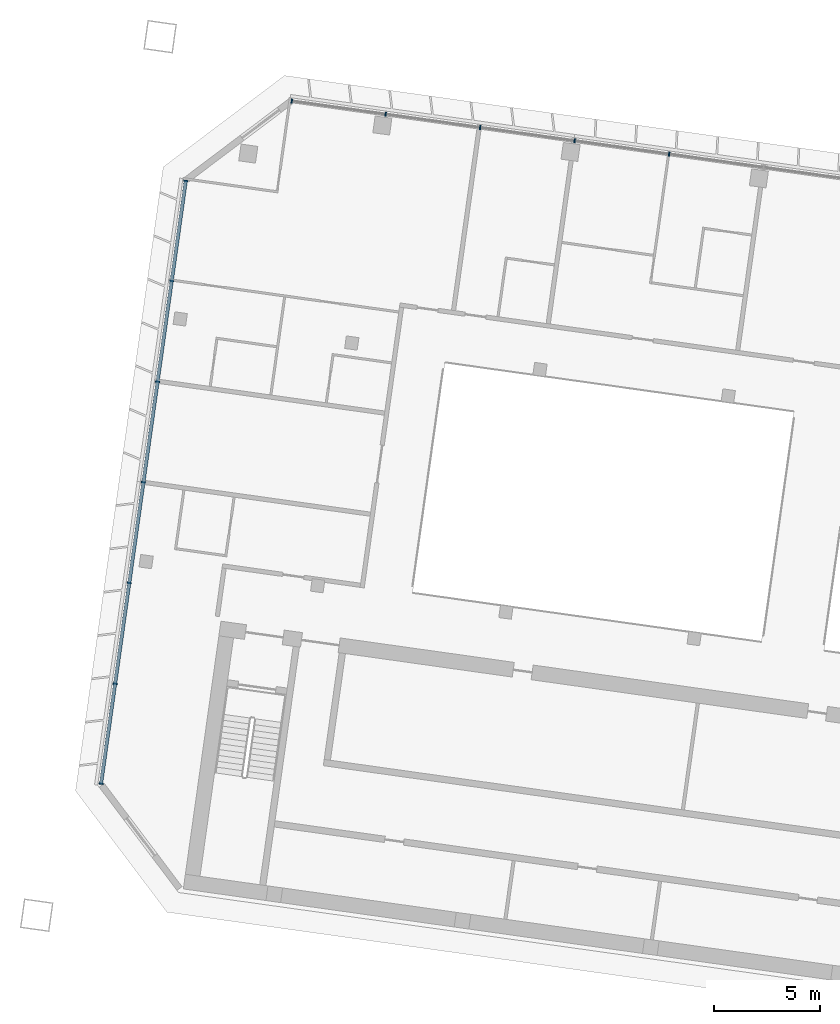
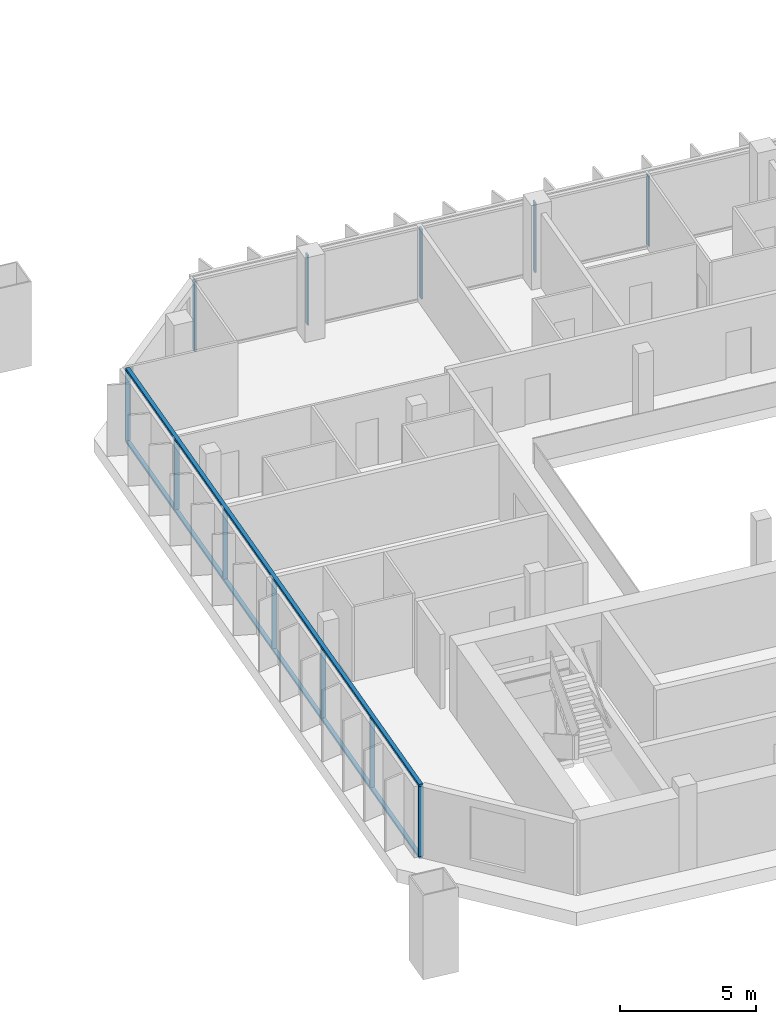
# One storey, part 2 of 26: 14 members, 2 elements without a shape of their own.
"""IFC4 building model written with IfcOpenShell, lengths in metres."""

from ifc_helpers import new_model, si_unit, direction, frame, origin, origin_2d, place, context, subcontext, project, spatial, rectangle, extrude, material, material_profile, profile_set, type_object, element, aggregate, save


model = new_model("IFC4")

# Units and contexts
model_context = context("Model", 3, precision=1e-05, world=origin(), true_north=direction((0.0, 1.0)))
body_context = subcontext(model_context, "Body", "Model", "MODEL_VIEW")
ifc_project = project(units=[si_unit("LENGTHUNIT", "METRE"), si_unit("AREAUNIT", "SQUARE_METRE"), si_unit("VOLUMEUNIT", "CUBIC_METRE"), si_unit("PLANEANGLEUNIT", "RADIAN"), si_unit("MASSUNIT", "GRAM", prefix="KILO")], contexts=[model_context])

# Site, building, storey
site_placement = place(None, origin())
site = spatial("IfcSite", under=ifc_project, at=site_placement, CompositionType="ELEMENT")
building_placement = place(site_placement, origin())
building = spatial("IfcBuilding", under=site, at=building_placement, Name="Mirante Cascada Hotel Towers", CompositionType="ELEMENT")
storey_placement = place(building_placement, frame((0.0, 0.0, 168.8)))
storey = spatial("IfcBuildingStorey", under=building, at=storey_placement, Name="L39", CompositionType="ELEMENT", Elevation=168.8)

# Curtain wall, members
ifc_material_1 = material(Name="Aluminium mullion and transom frame with clear laminated glass", Category="aluminium")
curtain_wall_type_1 = type_object("IfcCurtainWallType", Name="Ribbon curtain wall ECW1", PredefinedType="NOTDEFINED", material=ifc_material_1)
curtain_wall_1_placement = place(storey_placement, origin())
curtain_wall_1 = element("IfcCurtainWall", 1, at=curtain_wall_1_placement, inside=storey, type_object=curtain_wall_type_1, Name="Front ribbon wall T1 L39", PredefinedType="NOTDEFINED")
ifc_material_2 = material(Name="Anodised aluminium extrusion", Category="aluminium")
ifc_material_profile_1 = material_profile(ifc_material_2, rectangle(XDim=0.2, YDim=0.065, at=origin_2d()), Name="ECW1 MULLION 65x200")
ifc_profile_set_1 = profile_set([ifc_material_profile_1], Name="Anodised aluminium extrusion")
member_type_1 = type_object("IfcMemberType", Name="ECW1 mullion 65x200", PredefinedType="MULLION", material=ifc_profile_set_1)
member_1_placement = place(storey_placement, frame((-85.2136, 24.795, 0.1), z_axis=(0.0, 0.0, 1.0), x_axis=(0.1391731, 0.9902681, 0.0)))
member_1 = element("IfcMember", 2, at=member_1_placement, type_object=member_type_1, Name="ECW1 mullion 1", PredefinedType="MULLION", context=body_context, shape_type="SweptSolid", body=[
    extrude(rectangle(XDim=0.2, YDim=0.065, at=origin_2d()), origin(), (0.0, 0.0, 1.0), 3.15),
])
member_2_placement = place(storey_placement, frame((-80.7719, 24.1708, 0.1), z_axis=(0.0, 0.0, 1.0), x_axis=(0.1391731, 0.9902681, 0.0)))
member_2 = element("IfcMember", 3, at=member_2_placement, type_object=member_type_1, Name="ECW1 mullion 2", PredefinedType="MULLION", context=body_context, shape_type="SweptSolid", body=[
    extrude(rectangle(XDim=0.2, YDim=0.065, at=origin_2d()), origin(), (0.0, 0.0, 1.0), 3.15),
])
member_3_placement = place(storey_placement, frame((-76.2981, 23.542, 0.1), z_axis=(0.0, 0.0, 1.0), x_axis=(0.1391731, 0.9902681, 0.0)))
member_3 = element("IfcMember", 4, at=member_3_placement, type_object=member_type_1, Name="ECW1 mullion 3", PredefinedType="MULLION", context=body_context, shape_type="SweptSolid", body=[
    extrude(rectangle(XDim=0.2, YDim=0.065, at=origin_2d()), origin(), (0.0, 0.0, 1.0), 3.15),
])
member_4_placement = place(storey_placement, frame((-71.8243, 22.9133, 0.1), z_axis=(0.0, 0.0, 1.0), x_axis=(0.1391731, 0.9902681, 0.0)))
member_4 = element("IfcMember", 5, at=member_4_placement, type_object=member_type_1, Name="ECW1 mullion 4", PredefinedType="MULLION", context=body_context, shape_type="SweptSolid", body=[
    extrude(rectangle(XDim=0.2, YDim=0.065, at=origin_2d()), origin(), (0.0, 0.0, 1.0), 3.15),
])
member_5_placement = place(storey_placement, frame((-67.3505, 22.2845, 0.1), z_axis=(0.0, 0.0, 1.0), x_axis=(0.1391731, 0.9902681, 0.0)))
member_5 = element("IfcMember", 6, at=member_5_placement, type_object=member_type_1, Name="ECW1 mullion 5", PredefinedType="MULLION", context=body_context, shape_type="SweptSolid", body=[
    extrude(rectangle(XDim=0.2, YDim=0.065, at=origin_2d()), origin(), (0.0, 0.0, 1.0), 3.15),
])
aggregate(curtain_wall_1, [member_1, member_2, member_3, member_4, member_5])

ifc_material_3 = material(Name="Aluminium mullion and transom frame with clear laminated glass", Category="aluminium")
curtain_wall_type_2 = type_object("IfcCurtainWallType", Name="End ribbon curtain wall ECW2", PredefinedType="NOTDEFINED", material=ifc_material_3)
curtain_wall_2_placement = place(storey_placement, origin())
curtain_wall_2 = element("IfcCurtainWall", 7, at=curtain_wall_2_placement, inside=storey, type_object=curtain_wall_type_2, Name="Outer end wall T1 L39", PredefinedType="NOTDEFINED")
ifc_material_4 = material(Name="Anodised aluminium extrusion", Category="aluminium")
ifc_material_profile_2 = material_profile(ifc_material_4, rectangle(XDim=0.2, YDim=0.065, at=origin_2d()), Name="ECW2 MULLION 65x200")
ifc_profile_set_2 = profile_set([ifc_material_profile_2], Name="Anodised aluminium extrusion")
member_type_2 = type_object("IfcMemberType", Name="ECW2 mullion 65x200", PredefinedType="MULLION", material=ifc_profile_set_2)
member_6_placement = place(storey_placement, frame((-94.2432, -7.5181, 0.1), z_axis=(0.0, 0.0, 1.0), x_axis=(-0.9902681, 0.1391731, 0.0)))
member_6 = element("IfcMember", 8, at=member_6_placement, type_object=member_type_2, Name="ECW2 mullion 1", PredefinedType="MULLION", context=body_context, shape_type="SweptSolid", body=[
    extrude(rectangle(XDim=0.2, YDim=0.065, at=origin_2d()), origin(), (0.0, 0.0, 1.0), 3.15),
])
member_7_placement = place(storey_placement, frame((-93.5779, -2.7845, 0.1), z_axis=(0.0, 0.0, 1.0), x_axis=(-0.9902681, 0.1391731, 0.0)))
member_7 = element("IfcMember", 9, at=member_7_placement, type_object=member_type_2, Name="ECW2 mullion 2", PredefinedType="MULLION", context=body_context, shape_type="SweptSolid", body=[
    extrude(rectangle(XDim=0.2, YDim=0.065, at=origin_2d()), origin(), (0.0, 0.0, 1.0), 3.15),
])
member_8_placement = place(storey_placement, frame((-92.9081, 1.9812, 0.1), z_axis=(0.0, 0.0, 1.0), x_axis=(-0.9902681, 0.1391731, 0.0)))
member_8 = element("IfcMember", 10, at=member_8_placement, type_object=member_type_2, Name="ECW2 mullion 3", PredefinedType="MULLION", context=body_context, shape_type="SweptSolid", body=[
    extrude(rectangle(XDim=0.2, YDim=0.065, at=origin_2d()), origin(), (0.0, 0.0, 1.0), 3.15),
])
member_9_placement = place(storey_placement, frame((-92.2383, 6.747, 0.1), z_axis=(0.0, 0.0, 1.0), x_axis=(-0.9902681, 0.1391731, 0.0)))
member_9 = element("IfcMember", 11, at=member_9_placement, type_object=member_type_2, Name="ECW2 mullion 4", PredefinedType="MULLION", context=body_context, shape_type="SweptSolid", body=[
    extrude(rectangle(XDim=0.2, YDim=0.065, at=origin_2d()), origin(), (0.0, 0.0, 1.0), 3.15),
])
member_10_placement = place(storey_placement, frame((-91.5686, 11.5128, 0.1), z_axis=(0.0, 0.0, 1.0), x_axis=(-0.9902681, 0.1391731, 0.0)))
member_10 = element("IfcMember", 12, at=member_10_placement, type_object=member_type_2, Name="ECW2 mullion 5", PredefinedType="MULLION", context=body_context, shape_type="SweptSolid", body=[
    extrude(rectangle(XDim=0.2, YDim=0.065, at=origin_2d()), origin(), (0.0, 0.0, 1.0), 3.15),
])
member_11_placement = place(storey_placement, frame((-90.8988, 16.2786, 0.1), z_axis=(0.0, 0.0, 1.0), x_axis=(-0.9902681, 0.1391731, 0.0)))
member_11 = element("IfcMember", 13, at=member_11_placement, type_object=member_type_2, Name="ECW2 mullion 6", PredefinedType="MULLION", context=body_context, shape_type="SweptSolid", body=[
    extrude(rectangle(XDim=0.2, YDim=0.065, at=origin_2d()), origin(), (0.0, 0.0, 1.0), 3.15),
])
member_12_placement = place(storey_placement, frame((-90.2335, 21.0122, 0.1), z_axis=(0.0, 0.0, 1.0), x_axis=(-0.9902681, 0.1391731, 0.0)))
member_12 = element("IfcMember", 14, at=member_12_placement, type_object=member_type_2, Name="ECW2 mullion 7", PredefinedType="MULLION", context=body_context, shape_type="SweptSolid", body=[
    extrude(rectangle(XDim=0.2, YDim=0.065, at=origin_2d()), origin(), (0.0, 0.0, 1.0), 3.15),
])
ifc_material_5 = material(Name="Anodised aluminium extrusion", Category="aluminium")
ifc_material_profile_3 = material_profile(ifc_material_5, rectangle(XDim=0.16, YDim=0.1, at=origin_2d()), Name="ECW2 TRANSOM 100x160")
ifc_profile_set_3 = profile_set([ifc_material_profile_3], Name="Anodised aluminium extrusion")
member_type_3 = type_object("IfcMemberType", Name="ECW2 transom 100x160", PredefinedType="USERDEFINED", material=ifc_profile_set_3)
member_13_placement = place(storey_placement, frame((-94.2477, -7.5503, 0.05), z_axis=(0.1391723, 0.9902682, 0.0), x_axis=(-0.9902682, 0.1391723, 0.0)))
member_13 = element("IfcMember", 15, at=member_13_placement, type_object=member_type_3, Name="ECW2 sill transom", ObjectType="TRANSOM", PredefinedType="USERDEFINED", context=body_context, shape_type="SweptSolid", body=[
    extrude(rectangle(XDim=0.16, YDim=0.1, at=origin_2d()), origin(), (0.0, 0.0, 1.0), 28.8757),
])
member_14_placement = place(storey_placement, frame((-94.2477, -7.5503, 3.3), z_axis=(0.1391723, 0.9902682, 0.0), x_axis=(-0.9902682, 0.1391723, 0.0)))
member_14 = element("IfcMember", 16, at=member_14_placement, type_object=member_type_3, Name="ECW2 head transom", ObjectType="TRANSOM", PredefinedType="USERDEFINED", context=body_context, shape_type="SweptSolid", body=[
    extrude(rectangle(XDim=0.16, YDim=0.1, at=origin_2d()), origin(), (0.0, 0.0, 1.0), 28.8757),
])
aggregate(curtain_wall_2, [member_13, member_14, member_6, member_7, member_8, member_9, member_10, member_11, member_12])

save(model, "model.ifc")
